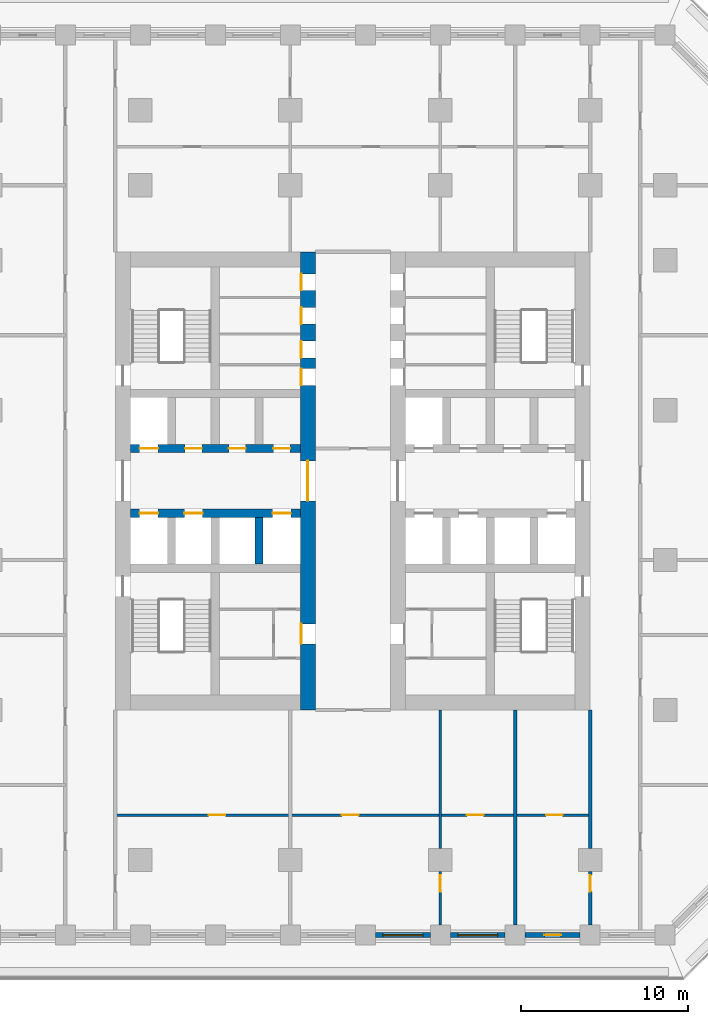
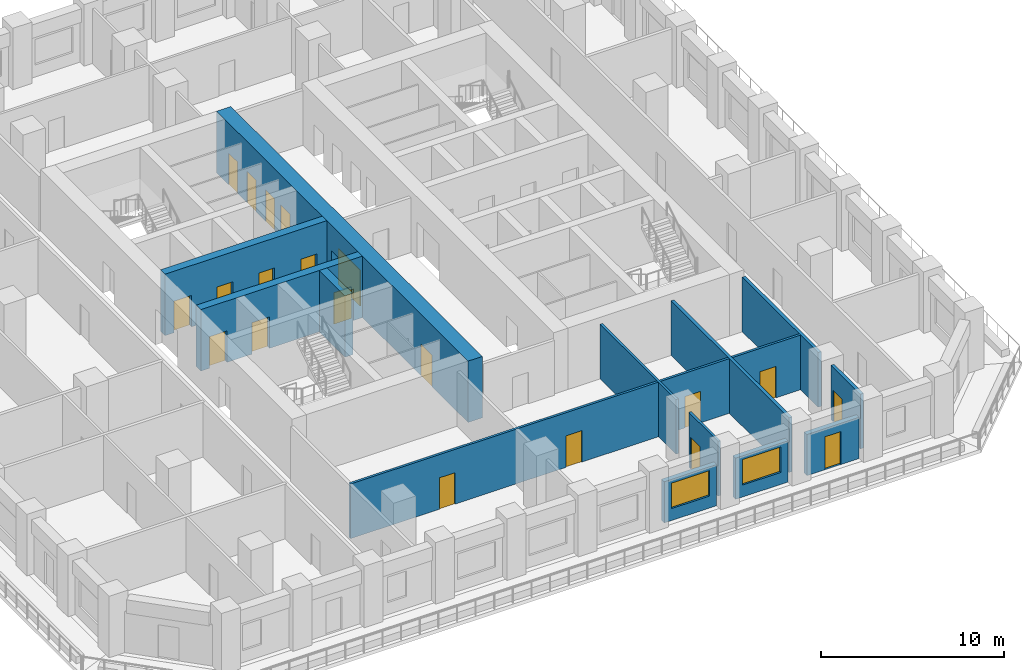
# One storey, part 4 of 16: 20 doors, 13 walls, 2 windows, 22 openings.
"""IFC4 building model written with IfcOpenShell, lengths in metres."""

from ifc_helpers import new_model, si_unit, direction, frame, frame_2d, origin, place, context, subcontext, project, spatial, rectangle, extrude, material, layer, layer_set, type_object, element, fill, save


model = new_model("IFC4")

# Units and contexts
model_context = context("Model", 3, precision=1e-05, world=origin(), true_north=direction((0.0, 1.0)))
body_context = subcontext(model_context, "Body", "Model", "MODEL_VIEW")
ifc_project = project(units=[si_unit("LENGTHUNIT", "METRE"), si_unit("AREAUNIT", "SQUARE_METRE"), si_unit("VOLUMEUNIT", "CUBIC_METRE"), si_unit("PLANEANGLEUNIT", "RADIAN"), si_unit("MASSUNIT", "GRAM", prefix="KILO")], contexts=[model_context])

# Site, building, storey
site_placement = place(None, origin())
site = spatial("IfcSite", under=ifc_project, at=site_placement, CompositionType="ELEMENT")
building_placement = place(site_placement, origin())
building = spatial("IfcBuilding", under=site, at=building_placement, Name="Corbel Stack Research Tower", CompositionType="ELEMENT")
storey_placement = place(building_placement, frame((0.0, 0.0, 120.800048828125)))
storey = spatial("IfcBuildingStorey", under=building, at=storey_placement, Name="L27", CompositionType="ELEMENT", Elevation=120.800048828125)

# Wall, openings, doors
ifc_material_1 = material(Name="Concrete C70/85", Category="concrete")
ifc_layer_1 = layer(ifc_material_1, 0.5)
ifc_layer_set_1 = layer_set([ifc_layer_1], Name="Concrete C70/85")
wall_type_1 = type_object("IfcWallType", Name="CW-500-70", PredefinedType="SHEAR", material=ifc_layer_set_1)
wall_1_placement = place(storey_placement, frame((-9.60009765625, 2.800048828125, 0.0), z_axis=(0.0, 0.0, 1.0), x_axis=(1.0, 0.0, 0.0)))
wall_1 = element("IfcWall", 1, at=wall_1_placement, inside=storey, type_object=wall_type_1, Name="West core wall, lobby south L27", PredefinedType="SHEAR", context=body_context, shape_type="SweptSolid", body=[
    extrude(rectangle(XDim=10.2001953125, YDim=0.5, at=frame_2d((5.10009765625, 0.0))), origin(), (0.0, 0.0, 1.0), 4.099853515625),
])
opening_1_placement = place(wall_1_placement, frame((0.5625, 0.0, 0.0)))
opening_1 = element("IfcOpeningElement", 2, at=opening_1_placement, cuts=wall_1, Name="Opening LD-FS1", PredefinedType="OPENING", context=body_context, shape_type="SweptSolid", body=[
    extrude(rectangle(XDim=1.10009765625, YDim=2.10009765625, at=frame_2d((0.550048828125, 1.050048828125))), frame((0.0, 0.260009765625, 0.0), z_axis=(0.0, -1.0, 0.0), x_axis=(1.0, 0.0, 0.0)), (0.0, 0.0, 1.0), 0.52001953125),
])
opening_2_placement = place(wall_1_placement, frame((3.237548828125, 0.0, 0.0)))
opening_2 = element("IfcOpeningElement", 3, at=opening_2_placement, cuts=wall_1, Name="Opening LD-GL1", PredefinedType="OPENING", context=body_context, shape_type="SweptSolid", body=[
    extrude(rectangle(XDim=1.10009765625, YDim=2.10009765625, at=frame_2d((0.550048828125, 1.050048828125))), frame((0.0, 0.260009765625, 0.0), z_axis=(0.0, -1.0, 0.0), x_axis=(1.0, 0.0, 0.0)), (0.0, 0.0, 1.0), 0.52001953125),
])
opening_3_placement = place(wall_1_placement, frame((8.53759765625, 0.0, 0.0)))
opening_3 = element("IfcOpeningElement", 4, at=opening_3_placement, cuts=wall_1, Name="Opening LD-LR1", PredefinedType="OPENING", context=body_context, shape_type="SweptSolid", body=[
    extrude(rectangle(XDim=1.10009765625, YDim=2.10009765625, at=frame_2d((0.550048828125, 1.050048828125))), frame((0.0, 0.260009765625, 0.0), z_axis=(0.0, -1.0, 0.0), x_axis=(1.0, 0.0, 0.0)), (0.0, 0.0, 1.0), 0.52001953125),
])
ifc_material_2 = material(Name="Stainless steel landing door", Category="steel")
door_type_1 = type_object("IfcDoorType", Name="Lift landing door 1100 x 2100", OperationType="DOUBLE_DOOR_SLIDING", PredefinedType="DOOR", material=ifc_material_2)
door_1_placement = place(opening_1_placement, origin())
door_1 = element("IfcDoor", 5, at=door_1_placement, inside=storey, type_object=door_type_1, Name="Landing door FS1", OperationType="DOUBLE_DOOR_SLIDING", OverallHeight=2.10009765625, OverallWidth=1.10009765625, PredefinedType="DOOR", context=body_context, shape_type="SweptSolid", body=[
    extrude(rectangle(XDim=1.10009765625, YDim=2.10009765625, at=frame_2d((0.550048828125, 1.050048828125))), frame((0.0, 0.02490234375, 0.0), z_axis=(0.0, -1.0, 0.0), x_axis=(1.0, 0.0, 0.0)), (0.0, 0.0, 1.0), 0.050048828125),
])
fill(opening_1, door_1)
door_2_placement = place(opening_2_placement, origin())
door_2 = element("IfcDoor", 6, at=door_2_placement, inside=storey, type_object=door_type_1, Name="Landing door GL1", OperationType="DOUBLE_DOOR_SLIDING", OverallHeight=2.10009765625, OverallWidth=1.10009765625, PredefinedType="DOOR", context=body_context, shape_type="SweptSolid", body=[
    extrude(rectangle(XDim=1.10009765625, YDim=2.10009765625, at=frame_2d((0.550048828125, 1.050048828125))), frame((0.0, 0.02490234375, 0.0), z_axis=(0.0, -1.0, 0.0), x_axis=(1.0, 0.0, 0.0)), (0.0, 0.0, 1.0), 0.050048828125),
])
fill(opening_2, door_2)
door_3_placement = place(opening_3_placement, origin())
door_3 = element("IfcDoor", 7, at=door_3_placement, inside=storey, type_object=door_type_1, Name="Landing door LR1", OperationType="DOUBLE_DOOR_SLIDING", OverallHeight=2.10009765625, OverallWidth=1.10009765625, PredefinedType="DOOR", context=body_context, shape_type="SweptSolid", body=[
    extrude(rectangle(XDim=1.10009765625, YDim=2.10009765625, at=frame_2d((0.550048828125, 1.050048828125))), frame((0.0, 0.02490234375, 0.0), z_axis=(0.0, -1.0, 0.0), x_axis=(1.0, 0.0, 0.0)), (0.0, 0.0, 1.0), 0.050048828125),
])
fill(opening_3, door_3)

wall_2_placement = place(storey_placement, frame((-9.60009765625, 6.699951171875, 0.0), z_axis=(0.0, 0.0, 1.0), x_axis=(1.0, 0.0, 0.0)))
wall_2 = element("IfcWall", 8, at=wall_2_placement, inside=storey, type_object=wall_type_1, Name="West core wall, lobby north L27", PredefinedType="SHEAR", context=body_context, shape_type="SweptSolid", body=[
    extrude(rectangle(XDim=10.2001953125, YDim=0.5, at=frame_2d((5.10009765625, 0.0))), origin(), (0.0, 0.0, 1.0), 4.099853515625),
])
opening_4_placement = place(wall_2_placement, frame((0.5625, 0.0, 0.0)))
opening_4 = element("IfcOpeningElement", 9, at=opening_4_placement, cuts=wall_2, Name="Opening LD-LR2", PredefinedType="OPENING", context=body_context, shape_type="SweptSolid", body=[
    extrude(rectangle(XDim=1.10009765625, YDim=2.10009765625, at=frame_2d((0.550048828125, 1.050048828125))), frame((0.0, 0.260009765625, 0.0), z_axis=(0.0, -1.0, 0.0), x_axis=(1.0, 0.0, 0.0)), (0.0, 0.0, 1.0), 0.52001953125),
])
opening_5_placement = place(wall_2_placement, frame((3.28759765625, 0.0, 0.0)))
opening_5 = element("IfcOpeningElement", 10, at=opening_5_placement, cuts=wall_2, Name="Opening CR-W36-N2", PredefinedType="OPENING", context=body_context, shape_type="SweptSolid", body=[
    extrude(rectangle(XDim=1.0, YDim=2.10009765625, at=frame_2d((0.5, 1.050048828125))), frame((0.0, 0.260009765625, 0.0), z_axis=(0.0, -1.0, 0.0), x_axis=(1.0, 0.0, 0.0)), (0.0, 0.0, 1.0), 0.52001953125),
])
opening_6_placement = place(wall_2_placement, frame((5.91259765625, 0.0, 0.0)))
opening_6 = element("IfcOpeningElement", 11, at=opening_6_placement, cuts=wall_2, Name="Opening CR-W36-N3", PredefinedType="OPENING", context=body_context, shape_type="SweptSolid", body=[
    extrude(rectangle(XDim=1.0, YDim=2.10009765625, at=frame_2d((0.5, 1.050048828125))), frame((0.0, 0.260009765625, 0.0), z_axis=(0.0, -1.0, 0.0), x_axis=(1.0, 0.0, 0.0)), (0.0, 0.0, 1.0), 0.52001953125),
])
opening_7_placement = place(wall_2_placement, frame((8.58740234375, 0.0, 0.0)))
opening_7 = element("IfcOpeningElement", 12, at=opening_7_placement, cuts=wall_2, Name="Opening CR-W36-N4", PredefinedType="OPENING", context=body_context, shape_type="SweptSolid", body=[
    extrude(rectangle(XDim=1.0, YDim=2.10009765625, at=frame_2d((0.5, 1.050048828125))), frame((0.0, 0.260009765625, 0.0), z_axis=(0.0, -1.0, 0.0), x_axis=(1.0, 0.0, 0.0)), (0.0, 0.0, 1.0), 0.52001953125),
])
door_4_placement = place(opening_4_placement, origin())
door_4 = element("IfcDoor", 13, at=door_4_placement, inside=storey, type_object=door_type_1, Name="Landing door LR2", OperationType="DOUBLE_DOOR_SLIDING", OverallHeight=2.10009765625, OverallWidth=1.10009765625, PredefinedType="DOOR", context=body_context, shape_type="SweptSolid", body=[
    extrude(rectangle(XDim=1.10009765625, YDim=2.10009765625, at=frame_2d((0.550048828125, 1.050048828125))), frame((0.0, 0.02490234375, 0.0), z_axis=(0.0, -1.0, 0.0), x_axis=(1.0, 0.0, 0.0)), (0.0, 0.0, 1.0), 0.050048828125),
])
fill(opening_4, door_4)
ifc_material_3 = material(Name="Painted steel door", Category="steel")
door_type_2 = type_object("IfcDoorType", Name="Service door 1000 x 2100 FD60 left hand", OperationType="SINGLE_SWING_LEFT", PredefinedType="DOOR", material=ifc_material_3)
door_5_placement = place(opening_6_placement, origin())
door_5 = element("IfcDoor", 14, at=door_5_placement, inside=storey, type_object=door_type_2, Name="Telecom room door W core", OperationType="SINGLE_SWING_LEFT", OverallHeight=2.10009765625, OverallWidth=1.0, PredefinedType="DOOR", context=body_context, shape_type="SweptSolid", body=[
    extrude(rectangle(XDim=1.0, YDim=2.10009765625, at=frame_2d((0.5, 1.050048828125))), frame((0.0, 0.02490234375, 0.0), z_axis=(0.0, -1.0, 0.0), x_axis=(1.0, 0.0, 0.0)), (0.0, 0.0, 1.0), 0.050048828125),
])
fill(opening_6, door_5)
ifc_material_4 = material(Name="Painted steel door", Category="steel")
door_type_3 = type_object("IfcDoorType", Name="Service door 1000 x 2100 FD60 right hand", OperationType="SINGLE_SWING_RIGHT", PredefinedType="DOOR", material=ifc_material_4)
door_6_placement = place(opening_5_placement, origin())
door_6 = element("IfcDoor", 15, at=door_6_placement, inside=storey, type_object=door_type_3, Name="Mechanical room door W core", OperationType="SINGLE_SWING_RIGHT", OverallHeight=2.10009765625, OverallWidth=1.0, PredefinedType="DOOR", context=body_context, shape_type="SweptSolid", body=[
    extrude(rectangle(XDim=1.0, YDim=2.10009765625, at=frame_2d((0.5, 1.050048828125))), frame((0.0, 0.02490234375, 0.0), z_axis=(0.0, -1.0, 0.0), x_axis=(1.0, 0.0, 0.0)), (0.0, 0.0, 1.0), 0.050048828125),
])
fill(opening_5, door_6)
door_7_placement = place(opening_7_placement, origin())
door_7 = element("IfcDoor", 16, at=door_7_placement, inside=storey, type_object=door_type_3, Name="Copy and supply store door W core", OperationType="SINGLE_SWING_RIGHT", OverallHeight=2.10009765625, OverallWidth=1.0, PredefinedType="DOOR", context=body_context, shape_type="SweptSolid", body=[
    extrude(rectangle(XDim=1.0, YDim=2.10009765625, at=frame_2d((0.5, 1.050048828125))), frame((0.0, 0.02490234375, 0.0), z_axis=(0.0, -1.0, 0.0), x_axis=(1.0, 0.0, 0.0)), (0.0, 0.0, 1.0), 0.050048828125),
])
fill(opening_7, door_7)

# Wall
wall_3_placement = place(storey_placement, frame((-1.875, -0.25, 0.0), z_axis=(0.0, 0.0, 1.0), x_axis=(0.0, 1.0, 0.0)))
element("IfcWall", 17, at=wall_3_placement, inside=storey, type_object=wall_type_1, Name="West core wall, south shaft 3 L27", PredefinedType="SHEAR", context=body_context, shape_type="SweptSolid", body=[
    extrude(rectangle(XDim=2.800048828125, YDim=0.5, at=frame_2d((1.39990234375, 0.0))), origin(), (0.0, 0.0, 1.0), 4.099853515625),
])

# Wall, openings, doors
ifc_material_5 = material(Name="Concrete C70/85", Category="concrete")
ifc_layer_2 = layer(ifc_material_5, 0.89990234375)
ifc_layer_set_2 = layer_set([ifc_layer_2], Name="Concrete C70/85")
wall_type_2 = type_object("IfcWallType", Name="CW-900-70", PredefinedType="SHEAR", material=ifc_layer_set_2)
wall_4_placement = place(storey_placement, frame((1.050048828125, -9.0, 0.0), z_axis=(0.0, 0.0, 1.0), x_axis=(0.0, 1.0, 0.0)))
wall_4 = element("IfcWall", 18, at=wall_4_placement, inside=storey, type_object=wall_type_2, Name="West core wall, east face L27", PredefinedType="SHEAR", context=body_context, shape_type="SweptSolid", body=[
    extrude(rectangle(XDim=27.5, YDim=0.89990234375, at=frame_2d((13.75, 0.0))), origin(), (0.0, 0.0, 1.0), 4.099853515625),
])
opening_8_placement = place(wall_4_placement, frame((12.550048828125, 0.0, 0.0)))
opening_8 = element("IfcOpeningElement", 19, at=opening_8_placement, cuts=wall_4, Name="Opening CD-W-E", PredefinedType="OPENING", context=body_context, shape_type="SweptSolid", body=[
    extrude(rectangle(XDim=2.39990234375, YDim=2.39990234375, at=frame_2d((1.199951171875, 1.199951171875))), frame((0.0, 0.4599609375, 0.0), z_axis=(0.0, -1.0, 0.0), x_axis=(1.0, 0.0, 0.0)), (0.0, 0.0, 1.0), 0.919921875),
])
opening_9_placement = place(wall_4_placement, frame((3.97509765625, 0.0, 0.0)))
opening_9 = element("IfcOpeningElement", 20, at=opening_9_placement, cuts=wall_4, Name="Opening CR-W36-W1-1200", PredefinedType="OPENING", context=body_context, shape_type="SweptSolid", body=[
    extrude(rectangle(XDim=1.199951171875, YDim=2.10009765625, at=frame_2d((0.60009765625, 1.050048828125))), frame((0.0, 0.4599609375, 0.0), z_axis=(0.0, -1.0, 0.0), x_axis=(1.0, 0.0, 0.0)), (0.0, 0.0, 1.0), 0.919921875),
])
opening_10_placement = place(wall_4_placement, frame((19.485107421875, 0.0, 0.0)))
opening_10 = element("IfcOpeningElement", 21, at=opening_10_placement, cuts=wall_4, Name="Opening CR-W36-R1-1000", PredefinedType="OPENING", context=body_context, shape_type="SweptSolid", body=[
    extrude(rectangle(XDim=1.0, YDim=2.10009765625, at=frame_2d((0.5, 1.050048828125))), frame((0.0, 0.4599609375, 0.0), z_axis=(0.0, -1.0, 0.0), x_axis=(1.0, 0.0, 0.0)), (0.0, 0.0, 1.0), 0.919921875),
])
opening_11_placement = place(wall_4_placement, frame((21.138916015625, 0.0, 0.0)))
opening_11 = element("IfcOpeningElement", 22, at=opening_11_placement, cuts=wall_4, Name="Opening CR-W36-R2-1000", PredefinedType="OPENING", context=body_context, shape_type="SweptSolid", body=[
    extrude(rectangle(XDim=1.0, YDim=2.10009765625, at=frame_2d((0.5, 1.050048828125))), frame((0.0, 0.4599609375, 0.0), z_axis=(0.0, -1.0, 0.0), x_axis=(1.0, 0.0, 0.0)), (0.0, 0.0, 1.0), 0.919921875),
])
opening_12_placement = place(wall_4_placement, frame((23.159912109375, 0.0, 0.0)))
opening_12 = element("IfcOpeningElement", 23, at=opening_12_placement, cuts=wall_4, Name="Opening CR-W36-R3-1000", PredefinedType="OPENING", context=body_context, shape_type="SweptSolid", body=[
    extrude(rectangle(XDim=1.0, YDim=2.10009765625, at=frame_2d((0.5, 1.050048828125))), frame((0.0, 0.4599609375, 0.0), z_axis=(0.0, -1.0, 0.0), x_axis=(1.0, 0.0, 0.0)), (0.0, 0.0, 1.0), 0.919921875),
])
opening_13_placement = place(wall_4_placement, frame((25.18115234375, 0.0, 0.0)))
opening_13 = element("IfcOpeningElement", 24, at=opening_13_placement, cuts=wall_4, Name="Opening CR-W36-R4-1000", PredefinedType="OPENING", context=body_context, shape_type="SweptSolid", body=[
    extrude(rectangle(XDim=1.0, YDim=2.10009765625, at=frame_2d((0.5, 1.050048828125))), frame((0.0, 0.4599609375, 0.0), z_axis=(0.0, -1.0, 0.0), x_axis=(1.0, 0.0, 0.0)), (0.0, 0.0, 1.0), 0.919921875),
])
ifc_material_6 = material(Name="Painted steel fire door", Category="steel")
door_type_4 = type_object("IfcDoorType", Name="Lobby door pair 2400 x 2400 FD30S", OperationType="DOUBLE_DOOR_DOUBLE_SWING", PredefinedType="DOOR", material=ifc_material_6)
door_8_placement = place(opening_8_placement, origin())
door_8 = element("IfcDoor", 25, at=door_8_placement, inside=storey, type_object=door_type_4, Name="Lift lobby door W core E", OperationType="DOUBLE_DOOR_DOUBLE_SWING", OverallHeight=2.39990234375, OverallWidth=2.39990234375, PredefinedType="DOOR", context=body_context, shape_type="SweptSolid", body=[
    extrude(rectangle(XDim=2.39990234375, YDim=2.39990234375, at=frame_2d((1.199951171875, 1.199951171875))), frame((0.0, 0.02490234375, 0.0), z_axis=(0.0, -1.0, 0.0), x_axis=(1.0, 0.0, 0.0)), (0.0, 0.0, 1.0), 0.050048828125),
])
fill(opening_8, door_8)
ifc_material_7 = material(Name="Painted steel door", Category="steel")
door_type_5 = type_object("IfcDoorType", Name="Riser door 1000 x 2100 FD60 left hand", OperationType="SINGLE_SWING_LEFT", PredefinedType="DOOR", material=ifc_material_7)
door_9_placement = place(opening_10_placement, origin())
door_9 = element("IfcDoor", 26, at=door_9_placement, inside=storey, type_object=door_type_5, Name="Electrical riser door W core", OperationType="SINGLE_SWING_LEFT", OverallHeight=2.10009765625, OverallWidth=1.0, PredefinedType="DOOR", context=body_context, shape_type="SweptSolid", body=[
    extrude(rectangle(XDim=1.0, YDim=2.10009765625, at=frame_2d((0.5, 1.050048828125))), frame((0.0, 0.4248046875, 0.0), z_axis=(0.0, -1.0, 0.0), x_axis=(1.0, 0.0, 0.0)), (0.0, 0.0, 1.0), 0.050048828125),
])
fill(opening_10, door_9)
ifc_material_8 = material(Name="Painted steel door", Category="steel")
door_type_6 = type_object("IfcDoorType", Name="Riser door 1000 x 2100 FD60 right hand", OperationType="SINGLE_SWING_RIGHT", PredefinedType="DOOR", material=ifc_material_8)
door_10_placement = place(opening_11_placement, origin())
door_10 = element("IfcDoor", 27, at=door_10_placement, inside=storey, type_object=door_type_6, Name="Telecom room door W core", OperationType="SINGLE_SWING_RIGHT", OverallHeight=2.10009765625, OverallWidth=1.0, PredefinedType="DOOR", context=body_context, shape_type="SweptSolid", body=[
    extrude(rectangle(XDim=1.0, YDim=2.10009765625, at=frame_2d((0.5, 1.050048828125))), frame((0.0, 0.4248046875, 0.0), z_axis=(0.0, -1.0, 0.0), x_axis=(1.0, 0.0, 0.0)), (0.0, 0.0, 1.0), 0.050048828125),
])
fill(opening_11, door_10)
ifc_material_9 = material(Name="Painted steel door", Category="steel")
door_type_7 = type_object("IfcDoorType", Name="Service door 1000 x 2100 FD30 left hand", OperationType="SINGLE_SWING_LEFT", PredefinedType="DOOR", material=ifc_material_9)
door_11_placement = place(opening_12_placement, origin())
door_11 = element("IfcDoor", 28, at=door_11_placement, inside=storey, type_object=door_type_7, Name="Pantry door W core", OperationType="SINGLE_SWING_LEFT", OverallHeight=2.10009765625, OverallWidth=1.0, PredefinedType="DOOR", context=body_context, shape_type="SweptSolid", body=[
    extrude(rectangle(XDim=1.0, YDim=2.10009765625, at=frame_2d((0.5, 1.050048828125))), frame((0.0, 0.4248046875, 0.0), z_axis=(0.0, -1.0, 0.0), x_axis=(1.0, 0.0, 0.0)), (0.0, 0.0, 1.0), 0.050048828125),
])
fill(opening_12, door_11)
ifc_material_10 = material(Name="Painted steel door", Category="steel")
door_type_8 = type_object("IfcDoorType", Name="Service door 1000 x 2100 FD30 right hand", OperationType="SINGLE_SWING_RIGHT", PredefinedType="DOOR", material=ifc_material_10)
door_12_placement = place(opening_13_placement, origin())
door_12 = element("IfcDoor", 29, at=door_12_placement, inside=storey, type_object=door_type_8, Name="Cleaner's store door W core", OperationType="SINGLE_SWING_RIGHT", OverallHeight=2.10009765625, OverallWidth=1.0, PredefinedType="DOOR", context=body_context, shape_type="SweptSolid", body=[
    extrude(rectangle(XDim=1.0, YDim=2.10009765625, at=frame_2d((0.5, 1.050048828125))), frame((0.0, 0.4248046875, 0.0), z_axis=(0.0, -1.0, 0.0), x_axis=(1.0, 0.0, 0.0)), (0.0, 0.0, 1.0), 0.050048828125),
])
fill(opening_13, door_12)
ifc_material_11 = material(Name="Painted timber door", Category="wood")
door_type_9 = type_object("IfcDoorType", Name="WC door 1200 x 2100 left hand", OperationType="SINGLE_SWING_LEFT", PredefinedType="DOOR", material=ifc_material_11)
door_13_placement = place(opening_9_placement, origin())
door_13 = element("IfcDoor", 30, at=door_13_placement, inside=storey, type_object=door_type_9, Name="WC lobby door W core", OperationType="SINGLE_SWING_LEFT", OverallHeight=2.10009765625, OverallWidth=1.199951171875, PredefinedType="DOOR", context=body_context, shape_type="SweptSolid", body=[
    extrude(rectangle(XDim=1.199951171875, YDim=2.10009765625, at=frame_2d((0.60009765625, 1.050048828125))), frame((0.0, 0.4248046875, 0.0), z_axis=(0.0, -1.0, 0.0), x_axis=(1.0, 0.0, 0.0)), (0.0, 0.0, 1.0), 0.050048828125),
])
fill(opening_9, door_13)

# Wall, opening, door
ifc_material_12 = material(Name="Fire-rated gypsum board partition on steel studs", Category="steel")
ifc_layer_3 = layer(ifc_material_12, 0.14990234375)
ifc_layer_set_3 = layer_set([ifc_layer_3], Name="Fire-rated gypsum board partition on steel studs")
wall_type_3 = type_object("IfcWallType", Name="Fire-rated partition 150 EI 60", PredefinedType="PARTITIONING", material=ifc_layer_set_3)
wall_5_placement = place(storey_placement, frame((9.0, -18.699951171875, 0.0), z_axis=(0.0, 0.0, 1.0), x_axis=(0.0, -1.0, 0.0)))
wall_5 = element("IfcWall", 31, at=wall_5_placement, inside=storey, type_object=wall_type_3, Name="Partition L27-010", PredefinedType="PARTITIONING", context=body_context, shape_type="SweptSolid", body=[
    extrude(rectangle(XDim=3.199951171875, YDim=0.14990234375, at=frame_2d((1.60009765625, 0.0))), origin(), (0.0, 0.0, 1.0), 3.64990234375),
])
opening_14_placement = place(wall_5_placement, frame((0.199951171875, 0.0, 0.0)))
opening_14 = element("IfcOpeningElement", 32, at=opening_14_placement, cuts=wall_5, Name="Opening B4V0-022", PredefinedType="OPENING", context=body_context, shape_type="SweptSolid", body=[
    extrude(rectangle(XDim=1.0, YDim=2.10009765625, at=frame_2d((0.5, 1.050048828125))), frame((0.0, 0.0849609375, 0.0), z_axis=(0.0, -1.0, 0.0), x_axis=(1.0, 0.0, 0.0)), (0.0, 0.0, 1.0), 0.169921875),
])
ifc_material_13 = material(Name="Painted steel fire door", Category="steel")
door_type_10 = type_object("IfcDoorType", Name="Fire door FD30S 1000 x 2100", OperationType="NOTDEFINED", PredefinedType="DOOR", material=ifc_material_13)
door_14_placement = place(opening_14_placement, origin())
door_14 = element("IfcDoor", 33, at=door_14_placement, inside=storey, type_object=door_type_10, Name="Door B4V0-022", OperationType="SINGLE_SWING_LEFT", OverallHeight=2.10009765625, OverallWidth=1.0, PredefinedType="DOOR", context=body_context, shape_type="SweptSolid", body=[
    extrude(rectangle(XDim=1.0, YDim=2.10009765625, at=frame_2d((0.5, 1.050048828125))), frame((0.0, 0.02490234375, 0.0), z_axis=(0.0, -1.0, 0.0), x_axis=(1.0, 0.0, 0.0)), (0.0, 0.0, 1.0), 0.050048828125),
])
fill(opening_14, door_14)

# Wall
ifc_material_14 = material(Name="Fire-rated gypsum board partition on steel studs", Category="steel")
ifc_layer_4 = layer(ifc_material_14, 0.199951171875)
ifc_layer_set_4 = layer_set([ifc_layer_4], Name="Fire-rated gypsum board partition on steel studs")
wall_type_4 = type_object("IfcWallType", Name="Fire-rated partition 200 EI 60", PredefinedType="PARTITIONING", material=ifc_layer_set_4)
wall_6_placement = place(storey_placement, frame((13.5, -21.89990234375, 0.0), z_axis=(0.0, 0.0, 1.0), x_axis=(0.0, 1.0, 0.0)))
element("IfcWall", 34, at=wall_6_placement, inside=storey, type_object=wall_type_4, Name="Partition L27-015", PredefinedType="PARTITIONING", context=body_context, shape_type="SweptSolid", body=[
    extrude(rectangle(XDim=12.89990234375, YDim=0.199951171875, at=frame_2d((6.449951171875, 0.0))), origin(), (0.0, 0.0, 1.0), 3.64990234375),
])

# Wall, opening, door
wall_7_placement = place(storey_placement, frame((18.0, -21.89990234375, 0.0), z_axis=(0.0, 0.0, 1.0), x_axis=(0.0, 1.0, 0.0)))
wall_7 = element("IfcWall", 35, at=wall_7_placement, inside=storey, type_object=wall_type_4, Name="Partition L27-017", PredefinedType="PARTITIONING", context=body_context, shape_type="SweptSolid", body=[
    extrude(rectangle(XDim=3.199951171875, YDim=0.199951171875, at=frame_2d((1.60009765625, 0.0))), origin(), (0.0, 0.0, 1.0), 3.64990234375),
])
opening_15_placement = place(wall_7_placement, frame((2.0, 0.0, 0.0)))
opening_15 = element("IfcOpeningElement", 36, at=opening_15_placement, cuts=wall_7, Name="Opening B4V0-024", PredefinedType="OPENING", context=body_context, shape_type="SweptSolid", body=[
    extrude(rectangle(XDim=1.0, YDim=2.10009765625, at=frame_2d((0.5, 1.050048828125))), frame((0.0, 0.10986328125, 0.0), z_axis=(0.0, -1.0, 0.0), x_axis=(1.0, 0.0, 0.0)), (0.0, 0.0, 1.0), 0.219970703125),
])
door_15_placement = place(opening_15_placement, origin())
door_15 = element("IfcDoor", 37, at=door_15_placement, inside=storey, type_object=door_type_10, Name="Door B4V0-024", OperationType="SINGLE_SWING_RIGHT", OverallHeight=2.10009765625, OverallWidth=1.0, PredefinedType="DOOR", context=body_context, shape_type="SweptSolid", body=[
    extrude(rectangle(XDim=1.0, YDim=2.10009765625, at=frame_2d((0.5, 1.050048828125))), frame((0.0, 0.02490234375, 0.0), z_axis=(0.0, -1.0, 0.0), x_axis=(1.0, 0.0, 0.0)), (0.0, 0.0, 1.0), 0.050048828125),
])
fill(opening_15, door_15)

# Walls
wall_8_placement = place(storey_placement, frame((18.0, -17.300048828125, 0.0), z_axis=(0.0, 0.0, 1.0), x_axis=(0.0, 1.0, 0.0)))
element("IfcWall", 38, at=wall_8_placement, inside=storey, type_object=wall_type_4, Name="Partition L27-018", PredefinedType="PARTITIONING", context=body_context, shape_type="SweptSolid", body=[
    extrude(rectangle(XDim=8.300048828125, YDim=0.199951171875, at=frame_2d((4.14990234375, 0.0))), origin(), (0.0, 0.0, 1.0), 3.64990234375),
])
ifc_material_15 = material(Name="Gypsum board partition on steel studs", Category="steel")
ifc_layer_5 = layer(ifc_material_15, 0.14990234375)
ifc_layer_set_5 = layer_set([ifc_layer_5], Name="Gypsum board partition on steel studs")
wall_type_5 = type_object("IfcWallType", Name="Partition 150", PredefinedType="PARTITIONING", material=ifc_layer_set_5)
wall_9_placement = place(storey_placement, frame((9.0, -17.300048828125, 0.0), z_axis=(0.0, 0.0, 1.0), x_axis=(0.0, 1.0, 0.0)))
element("IfcWall", 39, at=wall_9_placement, inside=storey, type_object=wall_type_5, Name="Partition L27-011", PredefinedType="PARTITIONING", context=body_context, shape_type="SweptSolid", body=[
    extrude(rectangle(XDim=8.300048828125, YDim=0.14990234375, at=frame_2d((4.14990234375, 0.0))), origin(), (0.0, 0.0, 1.0), 3.64990234375),
])

# Wall, openings, doors
wall_10_placement = place(storey_placement, frame((-10.5, -15.300048828125, 0.0), z_axis=(0.0, 0.0, 1.0), x_axis=(1.0, 0.0, 0.0)))
wall_10 = element("IfcWall", 40, at=wall_10_placement, inside=storey, type_object=wall_type_5, Name="Partition L27-023", PredefinedType="PARTITIONING", context=body_context, shape_type="SweptSolid", body=[
    extrude(rectangle(XDim=28.5, YDim=0.14990234375, at=frame_2d((14.25, 0.0))), origin(), (0.0, 0.0, 1.0), 3.64990234375),
])
opening_16_placement = place(wall_10_placement, frame((5.60009765625, 0.0, 0.0)))
opening_16 = element("IfcOpeningElement", 41, at=opening_16_placement, cuts=wall_10, Name="Opening B4V0-007", PredefinedType="OPENING", context=body_context, shape_type="SweptSolid", body=[
    extrude(rectangle(XDim=1.0, YDim=2.10009765625, at=frame_2d((0.5, 1.050048828125))), frame((0.0, 0.0849609375, 0.0), z_axis=(0.0, -1.0, 0.0), x_axis=(1.0, 0.0, 0.0)), (0.0, 0.0, 1.0), 0.169921875),
])
opening_17_placement = place(wall_10_placement, frame((13.60009765625, 0.0, 0.0)))
opening_17 = element("IfcOpeningElement", 42, at=opening_17_placement, cuts=wall_10, Name="Opening B4V0-008", PredefinedType="OPENING", context=body_context, shape_type="SweptSolid", body=[
    extrude(rectangle(XDim=1.0, YDim=2.10009765625, at=frame_2d((0.5, 1.050048828125))), frame((0.0, 0.0849609375, 0.0), z_axis=(0.0, -1.0, 0.0), x_axis=(1.0, 0.0, 0.0)), (0.0, 0.0, 1.0), 0.169921875),
])
opening_18_placement = place(wall_10_placement, frame((21.10009765625, 0.0, 0.0)))
opening_18 = element("IfcOpeningElement", 43, at=opening_18_placement, cuts=wall_10, Name="Opening B4V0-009", PredefinedType="OPENING", context=body_context, shape_type="SweptSolid", body=[
    extrude(rectangle(XDim=1.0, YDim=2.10009765625, at=frame_2d((0.5, 1.050048828125))), frame((0.0, 0.0849609375, 0.0), z_axis=(0.0, -1.0, 0.0), x_axis=(1.0, 0.0, 0.0)), (0.0, 0.0, 1.0), 0.169921875),
])
opening_19_placement = place(wall_10_placement, frame((25.85009765625, 0.0, 0.0)))
opening_19 = element("IfcOpeningElement", 44, at=opening_19_placement, cuts=wall_10, Name="Opening B4V0-010", PredefinedType="OPENING", context=body_context, shape_type="SweptSolid", body=[
    extrude(rectangle(XDim=1.0, YDim=2.10009765625, at=frame_2d((0.5, 1.050048828125))), frame((0.0, 0.0849609375, 0.0), z_axis=(0.0, -1.0, 0.0), x_axis=(1.0, 0.0, 0.0)), (0.0, 0.0, 1.0), 0.169921875),
])
ifc_material_16 = material(Name="Painted timber door", Category="wood")
door_type_11 = type_object("IfcDoorType", Name="Single door 1000 x 2100", OperationType="NOTDEFINED", PredefinedType="DOOR", material=ifc_material_16)
door_16_placement = place(opening_16_placement, origin())
door_16 = element("IfcDoor", 45, at=door_16_placement, inside=storey, type_object=door_type_11, Name="Door B4V0-007", OperationType="SINGLE_SWING_LEFT", OverallHeight=2.10009765625, OverallWidth=1.0, PredefinedType="DOOR", context=body_context, shape_type="SweptSolid", body=[
    extrude(rectangle(XDim=1.0, YDim=2.10009765625, at=frame_2d((0.5, 1.050048828125))), frame((0.0, 0.02490234375, 0.0), z_axis=(0.0, -1.0, 0.0), x_axis=(1.0, 0.0, 0.0)), (0.0, 0.0, 1.0), 0.050048828125),
])
fill(opening_16, door_16)
door_17_placement = place(opening_17_placement, origin())
door_17 = element("IfcDoor", 46, at=door_17_placement, inside=storey, type_object=door_type_11, Name="Door B4V0-008", OperationType="SINGLE_SWING_LEFT", OverallHeight=2.10009765625, OverallWidth=1.0, PredefinedType="DOOR", context=body_context, shape_type="SweptSolid", body=[
    extrude(rectangle(XDim=1.0, YDim=2.10009765625, at=frame_2d((0.5, 1.050048828125))), frame((0.0, 0.02490234375, 0.0), z_axis=(0.0, -1.0, 0.0), x_axis=(1.0, 0.0, 0.0)), (0.0, 0.0, 1.0), 0.050048828125),
])
fill(opening_17, door_17)
door_18_placement = place(opening_18_placement, origin())
door_18 = element("IfcDoor", 47, at=door_18_placement, inside=storey, type_object=door_type_11, Name="Door B4V0-009", OperationType="SINGLE_SWING_RIGHT", OverallHeight=2.10009765625, OverallWidth=1.0, PredefinedType="DOOR", context=body_context, shape_type="SweptSolid", body=[
    extrude(rectangle(XDim=1.0, YDim=2.10009765625, at=frame_2d((0.5, 1.050048828125))), frame((0.0, 0.02490234375, 0.0), z_axis=(0.0, -1.0, 0.0), x_axis=(1.0, 0.0, 0.0)), (0.0, 0.0, 1.0), 0.050048828125),
])
fill(opening_18, door_18)
door_19_placement = place(opening_19_placement, origin())
door_19 = element("IfcDoor", 48, at=door_19_placement, inside=storey, type_object=door_type_11, Name="Door B4V0-010", OperationType="SINGLE_SWING_RIGHT", OverallHeight=2.10009765625, OverallWidth=1.0, PredefinedType="DOOR", context=body_context, shape_type="SweptSolid", body=[
    extrude(rectangle(XDim=1.0, YDim=2.10009765625, at=frame_2d((0.5, 1.050048828125))), frame((0.0, 0.02490234375, 0.0), z_axis=(0.0, -1.0, 0.0), x_axis=(1.0, 0.0, 0.0)), (0.0, 0.0, 1.0), 0.050048828125),
])
fill(opening_19, door_19)

# Wall, opening, window
ifc_material_17 = material(Name="Concrete C45/55", Category="concrete")
ifc_layer_6 = layer(ifc_material_17, 0.300048828125)
ifc_layer_set_6 = layer_set([ifc_layer_6], Name="Concrete C45/55")
wall_type_6 = type_object("IfcWallType", Name="Terracotta-faced concrete wall 300", PredefinedType="SOLIDWALL", material=ifc_layer_set_6)
wall_11_placement = place(storey_placement, frame((8.39990234375, -22.5, 0.0), z_axis=(0.0, 0.0, 1.0), x_axis=(-1.0, 0.0, 0.0)))
wall_11 = element("IfcWall", 49, at=wall_11_placement, inside=storey, type_object=wall_type_6, Name="Facade wall L27 S07", PredefinedType="SOLIDWALL", context=body_context, shape_type="SweptSolid", body=[
    extrude(rectangle(XDim=3.2998046875, YDim=0.300048828125, at=frame_2d((1.64990234375, 0.0))), origin(), (0.0, 0.0, 1.0), 2.75),
])
opening_20_placement = place(wall_11_placement, frame((0.449951171875, 0.0, 0.800048828125)))
opening_20 = element("IfcOpeningElement", 50, at=opening_20_placement, cuts=wall_11, Name="Opening W1", PredefinedType="OPENING", context=body_context, shape_type="SweptSolid", body=[
    extrude(rectangle(XDim=2.39990234375, YDim=1.699951171875, at=frame_2d((1.199951171875, 0.85009765625))), frame((0.0, 0.159912109375, 0.0), z_axis=(0.0, -1.0, 0.0), x_axis=(1.0, 0.0, 0.0)), (0.0, 0.0, 1.0), 0.320068359375),
])
ifc_material_18 = material(Name="Aluminium frame, clear double glazing", Category="aluminium")
window_type = type_object("IfcWindowType", Name="Window W1 2400 x 1700", PartitioningType="SINGLE_PANEL", PredefinedType="WINDOW", material=ifc_material_18)
window_1_placement = place(opening_20_placement, origin())
window_1 = element("IfcWindow", 51, at=window_1_placement, inside=storey, type_object=window_type, Name="Window W1 L27 S07", OverallHeight=1.699951171875, OverallWidth=2.39990234375, PartitioningType="SINGLE_PANEL", PredefinedType="WINDOW", context=body_context, shape_type="SweptSolid", body=[
    extrude(rectangle(XDim=2.39990234375, YDim=1.699951171875, at=frame_2d((1.199951171875, 0.85009765625))), frame((0.0, 0.030029296875, 0.0), z_axis=(0.0, -1.0, 0.0), x_axis=(1.0, 0.0, 0.0)), (0.0, 0.0, 1.0), 0.06005859375),
])
fill(opening_20, window_1)

wall_12_placement = place(storey_placement, frame((12.89990234375, -22.5, 0.0), z_axis=(0.0, 0.0, 1.0), x_axis=(-1.0, 0.0, 0.0)))
wall_12 = element("IfcWall", 52, at=wall_12_placement, inside=storey, type_object=wall_type_6, Name="Facade wall L27 S08", PredefinedType="SOLIDWALL", context=body_context, shape_type="SweptSolid", body=[
    extrude(rectangle(XDim=3.2998046875, YDim=0.300048828125, at=frame_2d((1.64990234375, 0.0))), origin(), (0.0, 0.0, 1.0), 2.75),
])
opening_21_placement = place(wall_12_placement, frame((0.449951171875, 0.0, 0.800048828125)))
opening_21 = element("IfcOpeningElement", 53, at=opening_21_placement, cuts=wall_12, Name="Opening W1", PredefinedType="OPENING", context=body_context, shape_type="SweptSolid", body=[
    extrude(rectangle(XDim=2.39990234375, YDim=1.699951171875, at=frame_2d((1.199951171875, 0.85009765625))), frame((0.0, 0.159912109375, 0.0), z_axis=(0.0, -1.0, 0.0), x_axis=(1.0, 0.0, 0.0)), (0.0, 0.0, 1.0), 0.320068359375),
])
window_2_placement = place(opening_21_placement, origin())
window_2 = element("IfcWindow", 54, at=window_2_placement, inside=storey, type_object=window_type, Name="Window W1 L27 S08", OverallHeight=1.699951171875, OverallWidth=2.39990234375, PartitioningType="SINGLE_PANEL", PredefinedType="WINDOW", context=body_context, shape_type="SweptSolid", body=[
    extrude(rectangle(XDim=2.39990234375, YDim=1.699951171875, at=frame_2d((1.199951171875, 0.85009765625))), frame((0.0, 0.030029296875, 0.0), z_axis=(0.0, -1.0, 0.0), x_axis=(1.0, 0.0, 0.0)), (0.0, 0.0, 1.0), 0.06005859375),
])
fill(opening_21, window_2)

# Wall, opening, door
wall_13_placement = place(storey_placement, frame((17.39990234375, -22.5, 0.0), z_axis=(0.0, 0.0, 1.0), x_axis=(-1.0, 0.0, 0.0)))
wall_13 = element("IfcWall", 55, at=wall_13_placement, inside=storey, type_object=wall_type_6, Name="Facade wall L27 S09", PredefinedType="SOLIDWALL", context=body_context, shape_type="SweptSolid", body=[
    extrude(rectangle(XDim=3.2998046875, YDim=0.300048828125, at=frame_2d((1.64990234375, 0.0))), origin(), (0.0, 0.0, 1.0), 2.75),
])
opening_22_placement = place(wall_13_placement, frame((1.14990234375, 0.0, 0.0)))
opening_22 = element("IfcOpeningElement", 56, at=opening_22_placement, cuts=wall_13, Name="Opening L27-B02", PredefinedType="OPENING", context=body_context, shape_type="SweptSolid", body=[
    extrude(rectangle(XDim=1.0, YDim=2.199951171875, at=frame_2d((0.5, 1.10009765625))), frame((0.0, 0.159912109375, 0.0), z_axis=(0.0, -1.0, 0.0), x_axis=(1.0, 0.0, 0.0)), (0.0, 0.0, 1.0), 0.320068359375),
])
ifc_material_19 = material(Name="Aluminium frame, clear double glazing", Category="aluminium")
door_type_12 = type_object("IfcDoorType", Name="Balcony door BD1 1000 x 2200", OperationType="NOTDEFINED", PredefinedType="DOOR", material=ifc_material_19)
door_20_placement = place(opening_22_placement, origin())
door_20 = element("IfcDoor", 57, at=door_20_placement, inside=storey, type_object=door_type_12, Name="Balcony door L27-B02", OperationType="SINGLE_SWING_RIGHT", OverallHeight=2.199951171875, OverallWidth=1.0, PredefinedType="DOOR", context=body_context, shape_type="SweptSolid", body=[
    extrude(rectangle(XDim=1.0, YDim=2.199951171875, at=frame_2d((0.5, 1.10009765625))), frame((0.0, 0.02490234375, 0.0), z_axis=(0.0, -1.0, 0.0), x_axis=(1.0, 0.0, 0.0)), (0.0, 0.0, 1.0), 0.050048828125),
])
fill(opening_22, door_20)

save(model, "model.ifc")
